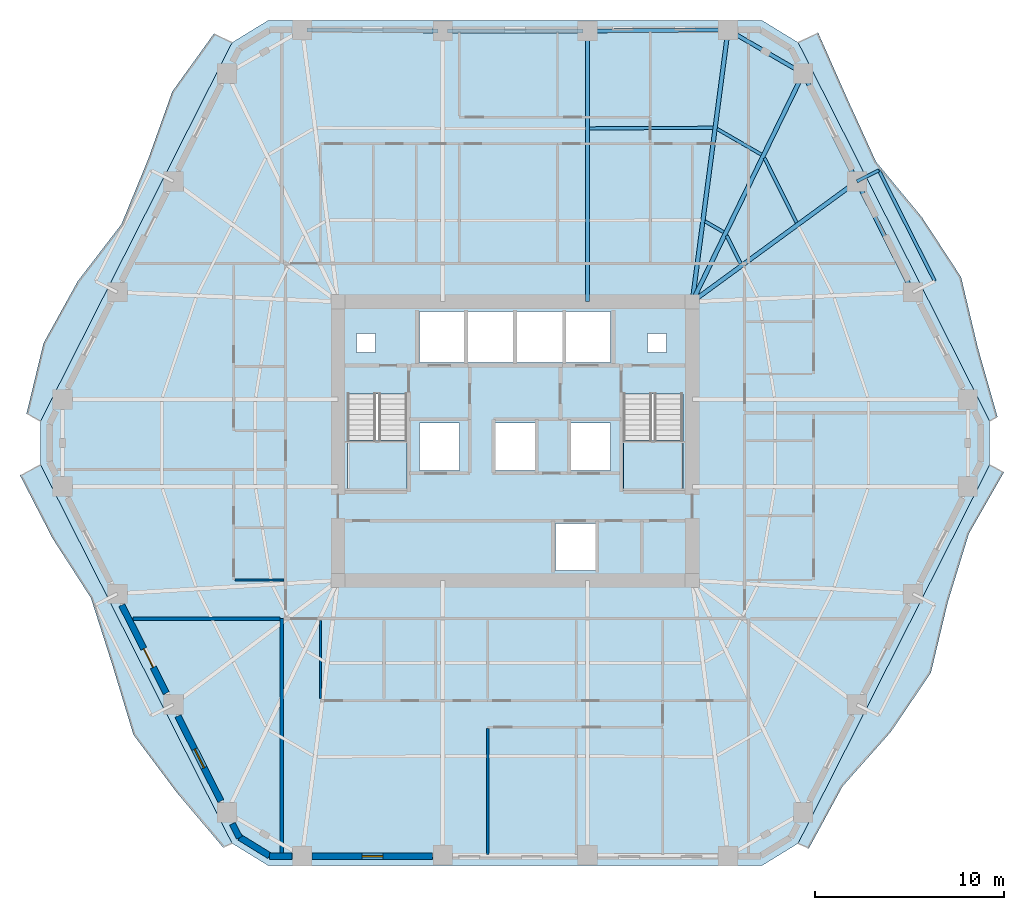
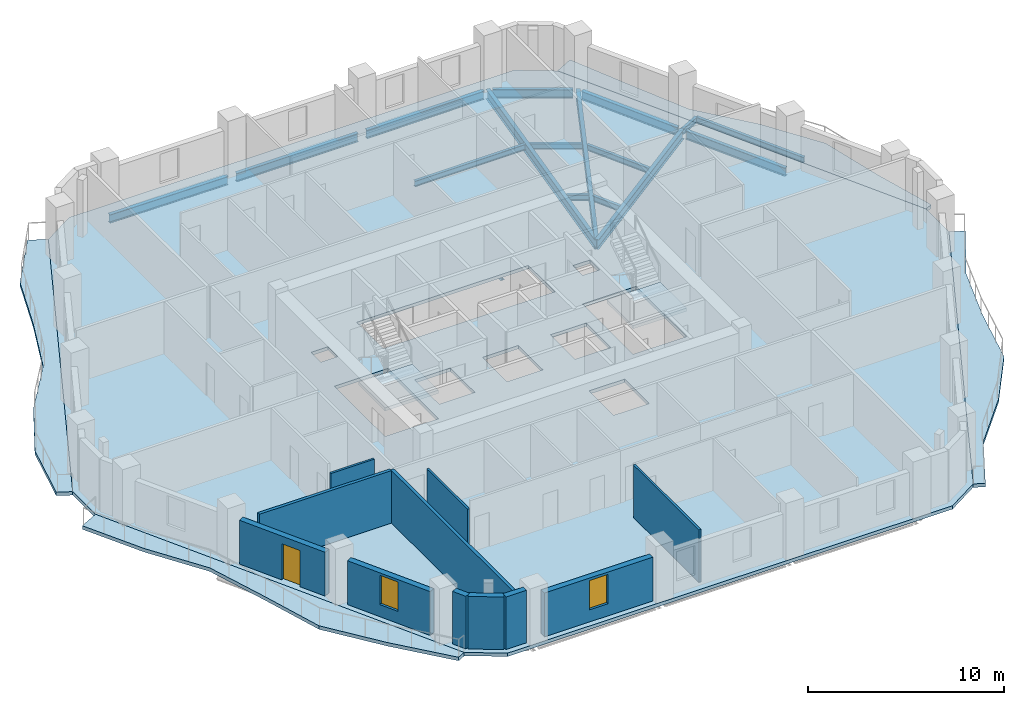
# One storey, part 3 of 11: 17 beams, 11 walls, 7 slabs, 2 windows, 1 door, 3 openings, 2 elements without a shape of their own.
"""IFC4 building model written with IfcOpenShell, lengths in metres."""

from ifc_helpers import new_model, si_unit, direction, frame, frame_2d, origin, origin_2d, place, context, subcontext, project, spatial, polyline, rectangle, i_section, outline, extrude, material, layer, layer_set, material_profile, profile_set, type_object, element, fill, aggregate, save


model = new_model("IFC4")

# Units and contexts
model_context = context("Model", 3, precision=1e-05, world=origin(), true_north=direction((0.0, 1.0)))
body_context = subcontext(model_context, "Body", "Model", "MODEL_VIEW")
ifc_project = project(units=[si_unit("LENGTHUNIT", "METRE"), si_unit("AREAUNIT", "SQUARE_METRE"), si_unit("VOLUMEUNIT", "CUBIC_METRE"), si_unit("PLANEANGLEUNIT", "RADIAN"), si_unit("MASSUNIT", "GRAM", prefix="KILO")], contexts=[model_context])

# Site, building, storey
site_placement = place(None, origin())
site = spatial("IfcSite", under=ifc_project, at=site_placement, CompositionType="ELEMENT")
building_placement = place(site_placement, origin())
building = spatial("IfcBuilding", under=site, at=building_placement, Name="Cinnabar Lancet Tower", CompositionType="ELEMENT")
storey_placement = place(building_placement, frame((0.0, 0.0, 144.550048828125)))
storey = spatial("IfcBuildingStorey", under=building, at=storey_placement, Name="L38", CompositionType="ELEMENT", Elevation=144.550048828125)

# Beams
ifc_material_1 = material(Name="Structural steel S355", Category="steel")
ifc_material_profile_1 = material_profile(ifc_material_1, i_section(OverallWidth=0.17138671875, OverallDepth=0.35498046875, WebThickness=0.00732421875, FlangeThickness=0.011474609375, FilletRadius=0.01025390625, at=origin_2d()), Name="UKB 356x171x51")
ifc_profile_set_1 = profile_set([ifc_material_profile_1], Name="Structural steel S355")
beam_type_1 = type_object("IfcBeamType", Name="STR-BM-JST-356", PredefinedType="JOIST", material=ifc_profile_set_1)
beam_1_placement = place(storey_placement, frame((47.300048828125, 37.455078125, -0.387939453125), z_axis=(-0.445116798807, 0.895472520751, 0.0), x_axis=(-0.895472520751, -0.445116798807, 0.0)))
element("IfcBeam", 1, at=beam_1_placement, inside=storey, type_object=beam_type_1, Name="L38 Secondary Floor Joist 29", PredefinedType="JOIST", context=body_context, shape_type="SweptSolid", body=[
    extrude(i_section(OverallWidth=0.17138671875, OverallDepth=0.35498046875, WebThickness=0.00732421875, FlangeThickness=0.011474609375, FilletRadius=0.01025390625, at=origin_2d()), origin(), (0.0, 0.0, 1.0), 3.8212890625),
])
beam_2_placement = place(storey_placement, frame((44.337890625, 35.2900390625, -0.387939453125), z_axis=(-0.445677136949, 0.895193772097, 0.0), x_axis=(-0.895193772097, -0.445677136949, 0.0)))
element("IfcBeam", 2, at=beam_2_placement, inside=storey, type_object=beam_type_1, Name="L38 Secondary Floor Joist 30", PredefinedType="JOIST", context=body_context, shape_type="SweptSolid", body=[
    extrude(i_section(OverallWidth=0.17138671875, OverallDepth=0.35498046875, WebThickness=0.00732421875, FlangeThickness=0.011474609375, FilletRadius=0.01025390625, at=origin_2d()), origin(), (0.0, 0.0, 1.0), 1.6533203125),
])
beam_3_placement = place(storey_placement, frame((45.43505859375, 41.06298828125, -0.387939453125), z_axis=(-0.865172906898, 0.501473669469, 0.0), x_axis=(-0.501473669469, -0.865172906898, 0.0)))
element("IfcBeam", 3, at=beam_3_placement, inside=storey, type_object=beam_type_1, Name="L38 Secondary Floor Joist 31", PredefinedType="JOIST", context=body_context, shape_type="SweptSolid", body=[
    extrude(i_section(OverallWidth=0.17138671875, OverallDepth=0.35498046875, WebThickness=0.00732421875, FlangeThickness=0.011474609375, FilletRadius=0.01025390625, at=origin_2d()), origin(), (0.0, 0.0, 1.0), 2.705810546875),
])
beam_4_placement = place(storey_placement, frame((43.43798828125, 36.9560546875, -0.387939453125), z_axis=(-0.865055308165, 0.501676503154, 0.0), x_axis=(-0.501676503154, -0.865055308165, 0.0)))
element("IfcBeam", 4, at=beam_4_placement, inside=storey, type_object=beam_type_1, Name="L38 Secondary Floor Joist 32", PredefinedType="JOIST", context=body_context, shape_type="SweptSolid", body=[
    extrude(i_section(OverallWidth=0.17138671875, OverallDepth=0.35498046875, WebThickness=0.00732421875, FlangeThickness=0.011474609375, FilletRadius=0.01025390625, at=origin_2d()), origin(), (0.0, 0.0, 1.0), 1.14208984375),
])
beam_5_placement = place(storey_placement, frame((42.8720703125, 42.48095703125, -0.387939453125), z_axis=(-0.999987991898, -0.004900618269, 0.0), x_axis=(0.004900618269, -0.999987991898, 0.0)))
element("IfcBeam", 5, at=beam_5_placement, inside=storey, type_object=beam_type_1, Name="L38 Secondary Floor Joist 33", PredefinedType="JOIST", context=body_context, shape_type="SweptSolid", body=[
    extrude(i_section(OverallWidth=0.17138671875, OverallDepth=0.35498046875, WebThickness=0.00732421875, FlangeThickness=0.011474609375, FilletRadius=0.01025390625, at=origin_2d()), origin(), (0.0, 0.0, 1.0), 6.526123046875),
])
ifc_material_2 = material(Name="Structural steel S355", Category="steel")
ifc_material_profile_2 = material_profile(ifc_material_2, i_section(OverallWidth=0.209228515625, OverallDepth=0.533203125, WebThickness=0.010009765625, FlangeThickness=0.015625, FilletRadius=0.0126953125, at=origin_2d()), Name="UKB 533x210x92")
ifc_profile_set_2 = profile_set([ifc_material_profile_2], Name="Structural steel S355")
beam_type_2 = type_object("IfcBeamType", Name="STR-BM-SPN-533", PredefinedType="SPANDREL", material=ifc_profile_set_2)
beam_6_placement = place(storey_placement, frame((53.339111328125, 33.9990234375, -0.47705078125), z_axis=(-0.450570325924, 0.892740937449, 0.0), x_axis=(-0.892740937449, -0.450570325924, 0.0)))
element("IfcBeam", 6, at=beam_6_placement, inside=storey, type_object=beam_type_2, Name="L38 Perimeter Spandrel 10", PredefinedType="SPANDREL", context=body_context, shape_type="SweptSolid", body=[
    extrude(i_section(OverallWidth=0.209228515625, OverallDepth=0.533203125, WebThickness=0.010009765625, FlangeThickness=0.015625, FilletRadius=0.0126953125, at=origin_2d()), origin(), (0.0, 0.0, 1.0), 6.07470703125),
])
beam_7_placement = place(storey_placement, frame((50.3779296875, 39.868896484375, -0.47705078125), z_axis=(-0.445501068635, 0.89528140707, 0.0), x_axis=(-0.89528140707, -0.445501068635, 0.0)))
element("IfcBeam", 7, at=beam_7_placement, inside=storey, type_object=beam_type_2, Name="L38 Perimeter Spandrel 11", PredefinedType="SPANDREL", context=body_context, shape_type="SweptSolid", body=[
    extrude(i_section(OverallWidth=0.209228515625, OverallDepth=0.533203125, WebThickness=0.010009765625, FlangeThickness=0.015625, FilletRadius=0.0126953125, at=origin_2d()), origin(), (0.0, 0.0, 1.0), 5.87646484375),
])
beam_8_placement = place(storey_placement, frame((47.43310546875, 45.47900390625, -0.47705078125), z_axis=(-0.865138129765, 0.5015336643, 0.0), x_axis=(-0.5015336643, -0.865138129765, 0.0)))
element("IfcBeam", 8, at=beam_8_placement, inside=storey, type_object=beam_type_2, Name="L38 Perimeter Spandrel 12", PredefinedType="SPANDREL", context=body_context, shape_type="SweptSolid", body=[
    extrude(i_section(OverallWidth=0.209228515625, OverallDepth=0.533203125, WebThickness=0.010009765625, FlangeThickness=0.015625, FilletRadius=0.0126953125, at=origin_2d()), origin(), (0.0, 0.0, 1.0), 4.10107421875),
])
beam_9_placement = place(storey_placement, frame((43.4189453125, 47.658935546875, -0.47705078125), z_axis=(-0.999975228682, -0.007038609338, 0.0), x_axis=(0.007038609338, -0.999975228682, 0.0)))
element("IfcBeam", 9, at=beam_9_placement, inside=storey, type_object=beam_type_2, Name="L38 Perimeter Spandrel 13", PredefinedType="SPANDREL", context=body_context, shape_type="SweptSolid", body=[
    extrude(i_section(OverallWidth=0.209228515625, OverallDepth=0.533203125, WebThickness=0.010009765625, FlangeThickness=0.015625, FilletRadius=0.0126953125, at=origin_2d()), origin(), (0.0, 0.0, 1.0), 6.937255859375),
])
beam_10_placement = place(storey_placement, frame((35.98193359375, 47.60791015625, -0.47705078125), z_axis=(-1.0, 0.0, 0.0), x_axis=(0.0, -1.0, 0.0)))
element("IfcBeam", 10, at=beam_10_placement, inside=storey, type_object=beam_type_2, Name="L38 Perimeter Spandrel 14", PredefinedType="SPANDREL", context=body_context, shape_type="SweptSolid", body=[
    extrude(i_section(OverallWidth=0.209228515625, OverallDepth=0.533203125, WebThickness=0.010009765625, FlangeThickness=0.015625, FilletRadius=0.0126953125, at=origin_2d()), origin(), (0.0, 0.0, 1.0), 7.163818359375),
])
beam_11_placement = place(storey_placement, frame((28.318115234375, 47.610107421875, -0.47705078125), z_axis=(-0.999975228682, 0.007038609338, 0.0), x_axis=(-0.007038609338, -0.999975228682, 0.0)))
element("IfcBeam", 11, at=beam_11_placement, inside=storey, type_object=beam_type_2, Name="L38 Perimeter Spandrel 15", PredefinedType="SPANDREL", context=body_context, shape_type="SweptSolid", body=[
    extrude(i_section(OverallWidth=0.209228515625, OverallDepth=0.533203125, WebThickness=0.010009765625, FlangeThickness=0.015625, FilletRadius=0.0126953125, at=origin_2d()), origin(), (0.0, 0.0, 1.0), 6.937255859375),
])
ifc_material_3 = material(Name="Structural steel S355", Category="steel")
ifc_material_profile_3 = material_profile(ifc_material_3, i_section(OverallWidth=0.228271484375, OverallDepth=0.607666015625, WebThickness=0.010986328125, FlangeThickness=0.017333984375, FilletRadius=0.0126953125, at=origin_2d()), Name="UKB 610x229x113")
ifc_profile_set_3 = profile_set([ifc_material_profile_3], Name="Structural steel S355")
beam_type_3 = type_object("IfcBeamType", Name="STR-BM-UKB610-113", PredefinedType="BEAM", material=ifc_profile_set_3)
beam_12_placement = place(storey_placement, frame((50.489013671875, 39.64501953125, -0.51416015625), z_axis=(-0.807297870919, -0.590144175273, 0.0), x_axis=(0.590144175273, -0.807297870919, 0.0)))
element("IfcBeam", 12, at=beam_12_placement, inside=storey, type_object=beam_type_3, Name="L38 Corner Collector Girder 3", PredefinedType="BEAM", context=body_context, shape_type="SweptSolid", body=[
    extrude(i_section(OverallWidth=0.228271484375, OverallDepth=0.607666015625, WebThickness=0.010986328125, FlangeThickness=0.017333984375, FilletRadius=0.0126953125, at=origin_2d()), origin(), (0.0, 0.0, 1.0), 10.794189453125),
])
beam_13_placement = place(storey_placement, frame((47.64892578125, 45.35400390625, -0.51416015625), z_axis=(-0.437327473227, -0.899302330232, 0.0), x_axis=(0.899302330232, -0.437327473227, 0.0)))
element("IfcBeam", 13, at=beam_13_placement, inside=storey, type_object=beam_type_3, Name="L38 Primary Floor Girder 12", PredefinedType="BEAM", context=body_context, shape_type="SweptSolid", body=[
    extrude(i_section(OverallWidth=0.228271484375, OverallDepth=0.607666015625, WebThickness=0.010986328125, FlangeThickness=0.017333984375, FilletRadius=0.0126953125, at=origin_2d()), origin(), (0.0, 0.0, 1.0), 13.431640625),
])
beam_14_placement = place(storey_placement, frame((43.6689453125, 47.660888671875, -0.51416015625), z_axis=(-0.130532420418, -0.991444041396, 0.0), x_axis=(0.991444041396, -0.130532420418, 0.0)))
element("IfcBeam", 14, at=beam_14_placement, inside=storey, type_object=beam_type_3, Name="L38 Primary Floor Girder 13", PredefinedType="BEAM", context=body_context, shape_type="SweptSolid", body=[
    extrude(i_section(OverallWidth=0.228271484375, OverallDepth=0.607666015625, WebThickness=0.010986328125, FlangeThickness=0.017333984375, FilletRadius=0.0126953125, at=origin_2d()), origin(), (0.0, 0.0, 1.0), 14.51025390625),
])
beam_15_placement = place(storey_placement, frame((36.23193359375, 47.60791015625, -0.51416015625), z_axis=(0.0, -1.0, 0.0), x_axis=(1.0, 0.0, 0.0)))
element("IfcBeam", 15, at=beam_15_placement, inside=storey, type_object=beam_type_3, Name="L38 Primary Floor Girder 14", PredefinedType="BEAM", context=body_context, shape_type="SweptSolid", body=[
    extrude(i_section(OverallWidth=0.228271484375, OverallDepth=0.607666015625, WebThickness=0.010986328125, FlangeThickness=0.017333984375, FilletRadius=0.0126953125, at=origin_2d()), origin(), (0.0, 0.0, 1.0), 14.3330078125),
])
ifc_material_4 = material(Name="Structural steel S355", Category="steel")
ifc_material_profile_4 = material_profile(ifc_material_4, i_section(OverallWidth=0.17138671875, OverallDepth=0.35498046875, WebThickness=0.00732421875, FlangeThickness=0.011474609375, FilletRadius=0.01025390625, at=origin_2d()), Name="UKB 356x171x51")
ifc_profile_set_4 = profile_set([ifc_material_profile_4], Name="Structural steel S355")
beam_type_4 = type_object("IfcBeamType", Name="STR-BM-WAV-OUT", PredefinedType="BEAM", material=ifc_profile_set_4)
beam_16_placement = place(storey_placement, frame((50.489013671875, 39.64501953125, -0.39697265625), z_axis=(0.89227592947, 0.451490493464, 0.0), x_axis=(-0.451490493464, 0.89227592947, 0.0)))
element("IfcBeam", 16, at=beam_16_placement, inside=storey, type_object=beam_type_4, Name="L38 Face 3 Balcony Outlooker B", PredefinedType="BEAM", context=body_context, shape_type="SweptSolid", body=[
    extrude(i_section(OverallWidth=0.17138671875, OverallDepth=0.35498046875, WebThickness=0.00732421875, FlangeThickness=0.011474609375, FilletRadius=0.01025390625, at=origin_2d()), origin(), (0.0, 0.0, 1.0), 1.300048828125),
])
ifc_material_5 = material(Name="Structural steel S355", Category="steel")
ifc_material_profile_5 = material_profile(ifc_material_5, i_section(OverallWidth=0.17138671875, OverallDepth=0.35498046875, WebThickness=0.00732421875, FlangeThickness=0.011474609375, FilletRadius=0.01025390625, at=origin_2d()), Name="UKB 356x171x51")
ifc_profile_set_5 = profile_set([ifc_material_profile_5], Name="Structural steel S355")
beam_type_5 = type_object("IfcBeamType", Name="STR-BM-WAV-TRIM", PredefinedType="SPANDREL", material=ifc_profile_set_5)
beam_17_placement = place(storey_placement, frame((54.612060546875, 34.363037109375, -0.39697265625), z_axis=(-0.450700828166, 0.892675060417, 0.0), x_axis=(-0.892675060417, -0.450700828166, 0.0)))
element("IfcBeam", 17, at=beam_17_placement, inside=storey, type_object=beam_type_5, Name="L38 Face 3 Balcony Edge Trimmer", PredefinedType="SPANDREL", context=body_context, shape_type="SweptSolid", body=[
    extrude(i_section(OverallWidth=0.17138671875, OverallDepth=0.35498046875, WebThickness=0.00732421875, FlangeThickness=0.011474609375, FilletRadius=0.01025390625, at=origin_2d()), origin(), (0.0, 0.0, 1.0), 6.574462890625),
])

# Stair, slab
ifc_material_6 = material(Name="Concrete C40/50", Category="concrete")
stair_type = type_object("IfcStairType", Name="ST-CORE", PredefinedType="HALF_TURN_STAIR", material=ifc_material_6)
stair_1_placement = place(storey_placement, origin())
stair_1 = element("IfcStair", 18, at=stair_1_placement, inside=storey, type_object=stair_type, Name="L38 ST-1", PredefinedType="HALF_TURN_STAIR")
ifc_material_7 = material(Name="Concrete C40/50", Category="concrete")
ifc_layer_1 = layer(ifc_material_7, 0.199951171875)
ifc_layer_set_1 = layer_set([ifc_layer_1], Name="Concrete C40/50")
slab_type_1 = type_object("IfcSlabType", Name="LANDING-CORE", PredefinedType="LANDING", material=ifc_layer_set_1)
slab_1_placement = place(storey_placement, frame((0.0, 0.0, 1.574951171875)))
slab_1 = element("IfcSlab", 19, at=slab_1_placement, type_object=slab_type_1, Name="ST-1 landing 1", PredefinedType="LANDING", context=body_context, shape_type="SweptSolid", body=[
    extrude(outline(polyline([(23.52490234375, 25.925048828125), (23.52490234375, 23.25), (26.675048828125, 23.25), (26.675048828125, 25.925048828125), (23.52490234375, 25.925048828125)])), origin(), (0.0, 0.0, 1.0), 0.199951171875),
])
aggregate(stair_1, [slab_1])

stair_2_placement = place(storey_placement, origin())
stair_2 = element("IfcStair", 20, at=stair_2_placement, inside=storey, type_object=stair_type, Name="L38 ST-2", PredefinedType="HALF_TURN_STAIR")
slab_2_placement = place(storey_placement, frame((0.0, 0.0, 1.574951171875)))
slab_2 = element("IfcSlab", 21, at=slab_2_placement, type_object=slab_type_1, Name="ST-2 landing 1", PredefinedType="LANDING", context=body_context, shape_type="SweptSolid", body=[
    extrude(outline(polyline([(38.125, 25.925048828125), (38.125, 23.25), (41.27490234375, 23.25), (41.27490234375, 25.925048828125), (38.125, 25.925048828125)])), origin(), (0.0, 0.0, 1.0), 0.199951171875),
])
aggregate(stair_2, [slab_2])

# Slabs
ifc_material_8 = material(Name="Concrete C40/50", Category="concrete")
ifc_layer_2 = layer(ifc_material_8, 0.2099609375)
ifc_layer_set_2 = layer_set([ifc_layer_2], Name="Concrete C40/50")
slab_type_2 = type_object("IfcSlabType", Name="STR-SLB-FLR-210", PredefinedType="FLOOR", material=ifc_layer_set_2)
slab_3_placement = place(storey_placement, frame((0.0, 0.0, -0.2099609375)))
element("IfcSlab", 22, at=slab_3_placement, inside=storey, type_object=slab_type_2, Name="L38 Structural Floor Slab", PredefinedType="FLOOR", context=body_context, shape_type="SweptSolid", body=[
    extrude(outline(polyline([(17.4208984375, 4.610107421875), (19.30810546875, 3.449951171875), (45.491943359375, 3.449951171875), (47.37890625, 4.610107421875), (57.512939453125, 24.639892578125), (57.512939453125, 26.9599609375), (47.37890625, 46.989990234375), (45.491943359375, 48.14990234375), (19.30810546875, 48.14990234375), (17.4208984375, 46.989990234375), (7.287109375, 26.9599609375), (7.287109375, 24.639892578125), (17.4208984375, 4.610107421875)]), holes=[polyline([(23.52490234375, 23.25), (26.675048828125, 23.25), (26.675048828125, 28.3994140625), (23.52490234375, 28.3994140625), (23.52490234375, 23.25)]), polyline([(38.125, 23.25), (41.27490234375, 23.25), (41.27490234375, 28.3994140625), (38.125, 28.3994140625), (38.125, 23.25)]), polyline([(27.35009765625, 30.050048828125), (37.449951171875, 30.050048828125), (37.449951171875, 32.75), (27.35009765625, 32.75), (27.35009765625, 30.050048828125)]), polyline([(34.550048828125, 19.050048828125), (36.64990234375, 19.050048828125), (36.64990234375, 21.550048828125), (34.550048828125, 21.550048828125), (34.550048828125, 19.050048828125)]), polyline([(27.35009765625, 24.35009765625), (29.449951171875, 24.35009765625), (29.449951171875, 26.85009765625), (27.35009765625, 26.85009765625), (27.35009765625, 24.35009765625)]), polyline([(35.35009765625, 24.35009765625), (37.449951171875, 24.35009765625), (37.449951171875, 26.85009765625), (35.35009765625, 26.85009765625), (35.35009765625, 24.35009765625)]), polyline([(31.35009765625, 24.35009765625), (33.449951171875, 24.35009765625), (33.449951171875, 26.85009765625), (31.35009765625, 26.85009765625), (31.35009765625, 24.35009765625)]), polyline([(24.0, 30.60009765625), (25.0, 30.60009765625), (25.0, 31.60009765625), (24.0, 31.60009765625), (24.0, 30.60009765625)]), polyline([(39.39990234375, 30.60009765625), (40.39990234375, 30.60009765625), (40.39990234375, 31.60009765625), (39.39990234375, 31.60009765625), (39.39990234375, 30.60009765625)])]), origin(), (0.0, 0.0, 1.0), 0.2099609375),
])
ifc_material_9 = material(Name="Concrete C45/55", Category="concrete")
ifc_layer_3 = layer(ifc_material_9, 0.219970703125)
ifc_layer_set_3 = layer_set([ifc_layer_3], Name="Concrete C45/55")
slab_type_3 = type_object("IfcSlabType", Name="STR-SLB-WAV-220", PredefinedType="FLOOR", material=ifc_layer_set_3)
slab_4_placement = place(storey_placement, frame((0.0, 0.0, -0.219970703125)))
element("IfcSlab", 23, at=slab_4_placement, inside=storey, type_object=slab_type_3, Name="L38 Face 2 Undulating Wave Balcony Slab", PredefinedType="FLOOR", context=body_context, shape_type="SweptSolid", body=[
    extrude(outline(polyline([(47.37890625, 4.610107421875), (47.93505859375, 4.327880859375), (49.719970703125, 7.617919921875), (52.284912109375, 10.512939453125), (54.402099609375, 13.635986328125), (55.298095703125, 17.375), (56.4150390625, 21.0029296875), (58.27392578125, 24.2548828125), (57.512939453125, 24.639892578125), (47.37890625, 4.610107421875)])), origin(), (0.0, 0.0, 1.0), 0.219970703125),
])
slab_5_placement = place(storey_placement, frame((0.0, 0.0, -0.219970703125)))
element("IfcSlab", 24, at=slab_5_placement, inside=storey, type_object=slab_type_3, Name="L38 Face 3 Undulating Wave Balcony Slab", PredefinedType="FLOOR", context=body_context, shape_type="SweptSolid", body=[
    extrude(outline(polyline([(57.512939453125, 26.9599609375), (57.931884765625, 27.172119140625), (56.889892578125, 30.8369140625), (56.0, 34.580078125), (53.94091796875, 37.73095703125), (51.49609375, 40.68701171875), (49.945068359375, 44.094970703125), (48.429931640625, 47.52197265625), (47.37890625, 46.989990234375), (57.512939453125, 26.9599609375)])), origin(), (0.0, 0.0, 1.0), 0.219970703125),
])
slab_6_placement = place(storey_placement, frame((0.0, 0.0, -0.219970703125)))
element("IfcSlab", 25, at=slab_6_placement, inside=storey, type_object=slab_type_3, Name="L38 Face 5 Undulating Wave Balcony Slab", PredefinedType="FLOOR", context=body_context, shape_type="SweptSolid", body=[
    extrude(outline(polyline([(17.4208984375, 46.989990234375), (16.467041015625, 47.472900390625), (14.256103515625, 44.39794921875), (12.990966796875, 40.845947265625), (11.56396484375, 37.375), (9.248046875, 34.35400390625), (7.43896484375, 31.075927734375), (6.5380859375, 27.339111328125), (7.287109375, 26.9599609375), (17.4208984375, 46.989990234375)])), origin(), (0.0, 0.0, 1.0), 0.219970703125),
])
slab_7_placement = place(storey_placement, frame((0.0, 0.0, -0.219970703125)))
element("IfcSlab", 26, at=slab_7_placement, inside=storey, type_object=slab_type_3, Name="L38 Face 6 Undulating Wave Balcony Slab", PredefinedType="FLOOR", context=body_context, shape_type="SweptSolid", body=[
    extrude(outline(polyline([(7.287109375, 24.639892578125), (6.196044921875, 24.087890625), (7.9130859375, 20.763916015625), (9.948974609375, 17.60107421875), (11.10302734375, 13.991943359375), (12.200927734375, 10.35498046875), (14.48095703125, 7.31494140625), (16.9619140625, 4.3779296875), (17.4208984375, 4.610107421875), (7.287109375, 24.639892578125)])), origin(), (0.0, 0.0, 1.0), 0.219970703125),
])

# Walls
ifc_material_10 = material(Name="Fire-rated twin-frame acoustic drywall", Category="gypsum")
ifc_layer_4 = layer(ifc_material_10, 0.179931640625)
ifc_layer_set_4 = layer_set([ifc_layer_4], Name="Fire-rated twin-frame acoustic drywall")
wall_type_1 = type_object("IfcWallType", Name="ARC-WL-PARTY-180", PredefinedType="PARTITIONING", material=ifc_layer_set_4)
wall_1_placement = place(storey_placement, frame((20.050048828125, 4.10498046875, 0.0), z_axis=(0.0, 0.0, 1.0), x_axis=(0.0, 1.0, 0.0)))
element("IfcWall", 27, at=wall_1_placement, inside=storey, type_object=wall_type_1, Name="PW-L38-SPTY-200", PredefinedType="PARTITIONING", context=body_context, shape_type="SweptSolid", body=[
    extrude(rectangle(XDim=12.39501953125, YDim=0.179931640625, at=frame_2d((6.197509765625, 0.0))), origin(), (0.0, 0.0, 1.0), 3.27001953125),
])
wall_2_placement = place(storey_placement, frame((12.18505859375, 16.5, 0.0), z_axis=(0.0, 0.0, 1.0), x_axis=(1.0, 0.0, 0.0)))
element("IfcWall", 28, at=wall_2_placement, inside=storey, type_object=wall_type_1, Name="PW-L38-WSB", PredefinedType="PARTITIONING", context=body_context, shape_type="SweptSolid", body=[
    extrude(rectangle(XDim=7.77001953125, YDim=0.179931640625, at=frame_2d((3.885009765625, 0.0))), origin(), (0.0, 0.0, 1.0), 3.27001953125),
])
ifc_material_11 = material(Name="Gypsum plasterboard stud partition", Category="gypsum")
ifc_layer_5 = layer(ifc_material_11, 0.125)
ifc_layer_set_5 = layer_set([ifc_layer_5], Name="Gypsum plasterboard stud partition")
wall_type_2 = type_object("IfcWallType", Name="ARC-WL-UNIT-125", PredefinedType="PARTITIONING", material=ifc_layer_set_5)
wall_3_placement = place(storey_placement, frame((22.10009765625, 12.26708984375, 0.0), z_axis=(0.0, 0.0, 1.0), x_axis=(0.0, 1.0, 0.0)))
element("IfcWall", 29, at=wall_3_placement, inside=storey, type_object=wall_type_2, Name="UW-L38-S01-FOYE", PredefinedType="PARTITIONING", context=body_context, shape_type="SweptSolid", body=[
    extrude(rectangle(XDim=4.14794921875, YDim=0.125, at=frame_2d((2.073974609375, 0.0))), origin(), (0.0, 0.0, 1.0), 2.65185546875),
])
wall_4_placement = place(storey_placement, frame((30.949951171875, 4.014892578125, 0.0), z_axis=(0.0, 0.0, 1.0), x_axis=(0.0, 1.0, 0.0)))
element("IfcWall", 30, at=wall_4_placement, inside=storey, type_object=wall_type_2, Name="UW-L38-S01-BD2W", PredefinedType="PARTITIONING", context=body_context, shape_type="SweptSolid", body=[
    extrude(rectangle(XDim=6.68212890625, YDim=0.125, at=frame_2d((3.341064453125, 0.0))), origin(), (0.0, 0.0, 1.0), 3.27001953125),
])
wall_5_placement = place(storey_placement, frame((17.5849609375, 18.550048828125, 0.0), z_axis=(0.0, 0.0, 1.0), x_axis=(1.0, 0.0, 0.0)))
element("IfcWall", 31, at=wall_5_placement, inside=storey, type_object=wall_type_2, Name="UW-L38-W01-FOYN", PredefinedType="PARTITIONING", context=body_context, shape_type="SweptSolid", body=[
    extrude(rectangle(XDim=2.580078125, YDim=0.125, at=frame_2d((1.2900390625, 0.0))), origin(), (0.0, 0.0, 1.0), 2.65185546875),
])
ifc_material_12 = material(Name="Cinnabar red clay brick", Category="masonry")
ifc_layer_6 = layer(ifc_material_12, 0.340087890625)
ifc_layer_set_6 = layer_set([ifc_layer_6], Name="Cinnabar red clay brick")
wall_type_3 = type_object("IfcWallType", Name="ENV-WL-BRK-RED-340", PredefinedType="STANDARD", material=ifc_layer_set_6)
wall_6_placement = place(storey_placement, frame((17.8291015625, 4.923095703125, 0.0), z_axis=(0.0, 0.0, 1.0), x_axis=(0.851798915137, -0.523868884523, 0.0)))
element("IfcWall", 32, at=wall_6_placement, inside=storey, type_object=wall_type_3, Name="L38 Chamfered Corner Brick Pier 1.1", PredefinedType="STANDARD", context=body_context, shape_type="SweptSolid", body=[
    extrude(rectangle(XDim=1.847900390625, YDim=0.340087890625, at=frame_2d((0.923828125, 0.0))), origin(), (0.0, 0.0, 1.0), 3.27001953125),
])
wall_7_placement = place(storey_placement, frame((19.39794921875, 3.929931640625, 0.0), z_axis=(0.0, 0.0, 1.0), x_axis=(1.0, 0.0, 0.0)))
element("IfcWall", 33, at=wall_7_placement, inside=storey, type_object=wall_type_3, Name="L38 Face 1 Masonry Bay Wall 1", PredefinedType="STANDARD", context=body_context, shape_type="SweptSolid", body=[
    extrude(rectangle(XDim=1.2041015625, YDim=0.340087890625, at=frame_2d((0.60205078125, 0.0))), origin(), (0.0, 0.0, 1.0), 3.27001953125),
])

# Wall, opening, window
wall_8_placement = place(storey_placement, frame((21.659912109375, 3.929931640625, 0.0), z_axis=(0.0, 0.0, 1.0), x_axis=(1.0, 0.0, 0.0)))
wall_8 = element("IfcWall", 34, at=wall_8_placement, inside=storey, type_object=wall_type_3, Name="L38 Face 1 Masonry Bay Wall 2", PredefinedType="STANDARD", context=body_context, shape_type="SweptSolid", body=[
    extrude(rectangle(XDim=6.379150390625, YDim=0.340087890625, at=frame_2d((3.189453125, 0.0))), origin(), (0.0, 0.0, 1.0), 2.72705078125),
])
opening_1_placement = place(wall_8_placement, frame((2.639892578125, 0.0, 0.75)))
opening_1 = element("IfcOpeningElement", 35, at=opening_1_placement, cuts=wall_8, Name="Opening WN-04", PredefinedType="OPENING", context=body_context, shape_type="SweptSolid", body=[
    extrude(rectangle(XDim=1.10009765625, YDim=1.826904296875, at=frame_2d((0.550048828125, 0.91357421875))), frame((0.0, 0.179931640625, 0.0), z_axis=(0.0, -1.0, 0.0), x_axis=(1.0, 0.0, 0.0)), (0.0, 0.0, 1.0), 0.360107421875),
])
ifc_material_13 = material(Name="Thermally broken bronze-anodized aluminium tall lancet window", Category="aluminium")
window_type = type_object("IfcWindowType", Name="ENV-WN-LANCET-1100", PartitioningType="SINGLE_PANEL", PredefinedType="WINDOW", material=ifc_material_13)
window_1_placement = place(opening_1_placement, origin())
window_1 = element("IfcWindow", 36, at=window_1_placement, inside=storey, type_object=window_type, Name="L38 Face 1 Gothic Lancet Window 2", OverallHeight=1.826904296875, OverallWidth=1.10009765625, PartitioningType="SINGLE_PANEL", PredefinedType="WINDOW", context=body_context, shape_type="SweptSolid", body=[
    extrude(rectangle(XDim=1.10009765625, YDim=1.826904296875, at=frame_2d((0.550048828125, 0.91357421875))), frame((0.0, 0.030029296875, 0.0), z_axis=(0.0, -1.0, 0.0), x_axis=(1.0, 0.0, 0.0)), (0.0, 0.0, 1.0), 0.06005859375),
])
fill(opening_1, window_1)

# Wall, opening, door
wall_9_placement = place(storey_placement, frame((11.580078125, 17.218017578125, 0.0), z_axis=(0.0, 0.0, 1.0), x_axis=(0.451567731634, -0.892236842855, 0.0)))
wall_9 = element("IfcWall", 37, at=wall_9_placement, inside=storey, type_object=wall_type_3, Name="L38 Face 6 Masonry Bay Wall 3", PredefinedType="STANDARD", context=body_context, shape_type="SweptSolid", body=[
    extrude(rectangle(XDim=5.219482421875, YDim=0.340087890625, at=frame_2d((2.60986328125, 0.0))), origin(), (0.0, 0.0, 1.0), 2.72705078125),
])
opening_2_placement = place(wall_9_placement, frame((2.5869140625, 0.0, 0.0)))
opening_2 = element("IfcOpeningElement", 38, at=opening_2_placement, cuts=wall_9, Name="Opening TD-01", PredefinedType="OPENING", context=body_context, shape_type="SweptSolid", body=[
    extrude(rectangle(XDim=1.10009765625, YDim=2.25, at=frame_2d((0.550048828125, 1.125))), frame((0.0, 0.179931640625, 0.0), z_axis=(0.0, -1.0, 0.0), x_axis=(1.0, 0.0, 0.0)), (0.0, 0.0, 1.0), 0.360107421875),
])
ifc_material_14 = material(Name="Thermally broken low-E glazed balcony terrace door", Category="wood")
door_type = type_object("IfcDoorType", Name="ARC-DR-BALC", OperationType="NOTDEFINED", PredefinedType="DOOR", material=ifc_material_14)
door_placement = place(opening_2_placement, origin())
door = element("IfcDoor", 39, at=door_placement, inside=storey, type_object=door_type, Name="L38 Face 6 Glazed Terrace Door", OperationType="SINGLE_SWING_LEFT", OverallHeight=2.25, OverallWidth=1.10009765625, PredefinedType="DOOR", context=body_context, shape_type="SweptSolid", body=[
    extrude(rectangle(XDim=1.10009765625, YDim=2.25, at=frame_2d((0.550048828125, 1.125))), frame((0.0, 0.02490234375, 0.0), z_axis=(0.0, -1.0, 0.0), x_axis=(1.0, 0.0, 0.0)), (0.0, 0.0, 1.0), 0.050048828125),
])
fill(opening_2, door)

# Wall, opening, window
wall_10_placement = place(storey_placement, frame((14.549072265625, 11.34912109375, 0.0), z_axis=(0.0, 0.0, 1.0), x_axis=(0.451548465867, -0.892246593142, 0.0)))
wall_10 = element("IfcWall", 40, at=wall_10_placement, inside=storey, type_object=wall_type_3, Name="L38 Face 6 Masonry Bay Wall 4", PredefinedType="STANDARD", context=body_context, shape_type="SweptSolid", body=[
    extrude(rectangle(XDim=5.040283203125, YDim=0.340087890625, at=frame_2d((2.52001953125, 0.0))), origin(), (0.0, 0.0, 1.0), 2.72705078125),
])
opening_3_placement = place(wall_10_placement, frame((1.969970703125, 0.0, 0.75)))
opening_3 = element("IfcOpeningElement", 41, at=opening_3_placement, cuts=wall_10, Name="Opening WN-04", PredefinedType="OPENING", context=body_context, shape_type="SweptSolid", body=[
    extrude(rectangle(XDim=1.10009765625, YDim=1.826904296875, at=frame_2d((0.550048828125, 0.91357421875))), frame((0.0, 0.179931640625, 0.0), z_axis=(0.0, -1.0, 0.0), x_axis=(1.0, 0.0, 0.0)), (0.0, 0.0, 1.0), 0.360107421875),
])
window_2_placement = place(opening_3_placement, origin())
window_2 = element("IfcWindow", 42, at=window_2_placement, inside=storey, type_object=window_type, Name="L38 Face 6 Gothic Lancet Window 4", OverallHeight=1.826904296875, OverallWidth=1.10009765625, PartitioningType="SINGLE_PANEL", PredefinedType="WINDOW", context=body_context, shape_type="SweptSolid", body=[
    extrude(rectangle(XDim=1.10009765625, YDim=1.826904296875, at=frame_2d((0.550048828125, 0.91357421875))), frame((0.0, 0.030029296875, 0.0), z_axis=(0.0, -1.0, 0.0), x_axis=(1.0, 0.0, 0.0)), (0.0, 0.0, 1.0), 0.06005859375),
])
fill(opening_3, window_2)

# Wall
wall_11_placement = place(storey_placement, frame((17.43798828125, 5.639892578125, 0.0), z_axis=(0.0, 0.0, 1.0), x_axis=(0.45172514337, -0.892157158155, 0.0)))
element("IfcWall", 43, at=wall_11_placement, inside=storey, type_object=wall_type_3, Name="L38 Face 6 Masonry Bay Wall 5", PredefinedType="STANDARD", context=body_context, shape_type="SweptSolid", body=[
    extrude(rectangle(XDim=0.821533203125, YDim=0.340087890625, at=frame_2d((0.41064453125, 0.0))), origin(), (0.0, 0.0, 1.0), 3.27001953125),
])

save(model, "model.ifc")
